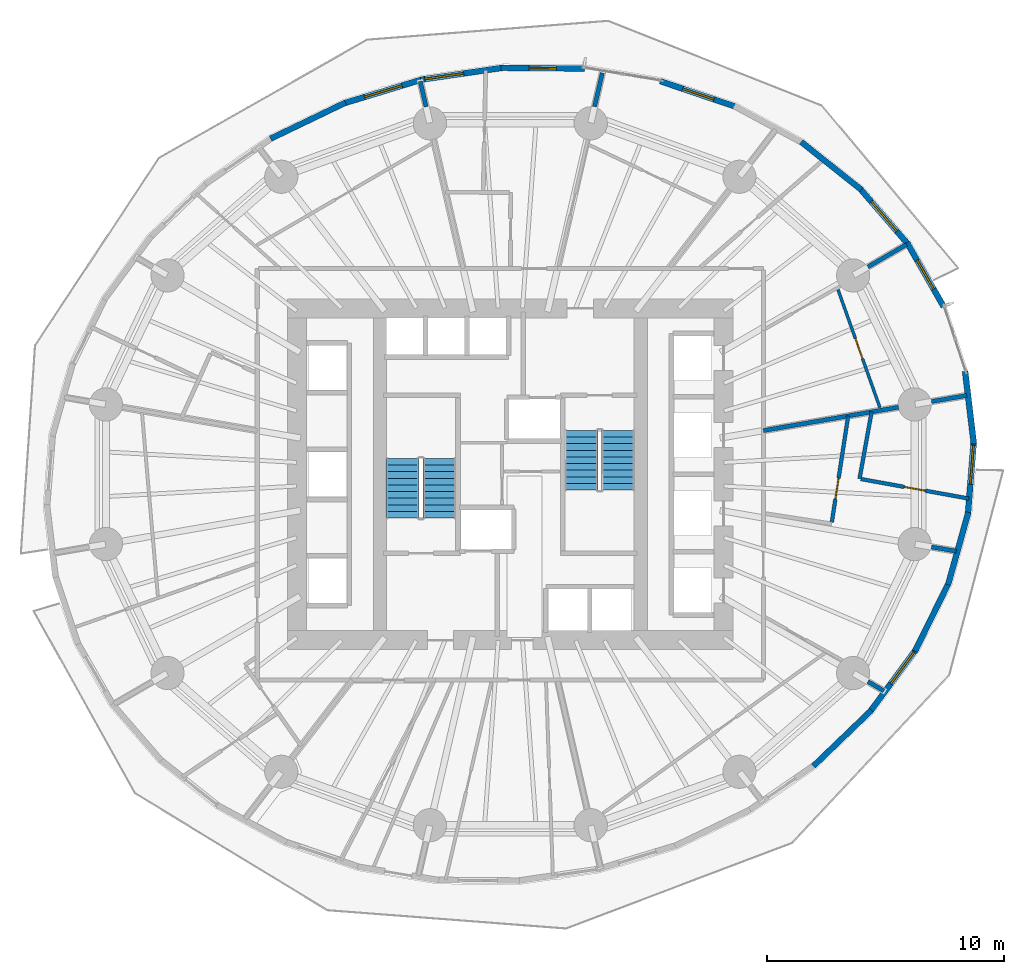
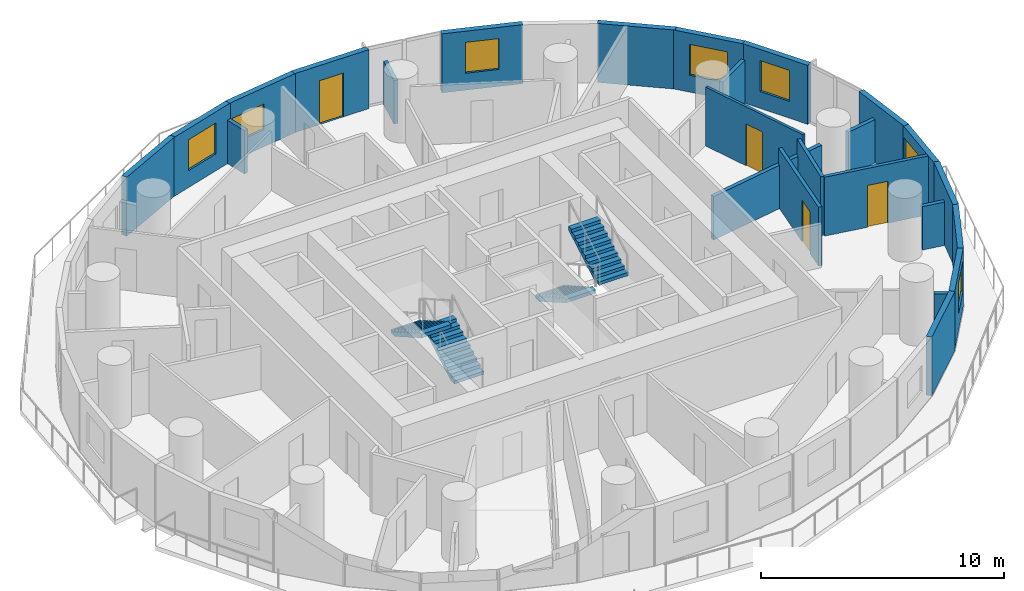
# One storey, part 8 of 13: 25 walls, 7 windows, 4 doors, 4 stair flights, 11 openings, 2 elements without a shape of their own.
"""IFC4 building model written with IfcOpenShell, lengths in metres."""

from ifc_helpers import new_model, si_unit, direction, frame, frame_2d, origin, place, context, subcontext, project, spatial, polyline, rectangle, outline, extrude, material, layer, layer_set, type_object, element, fill, aggregate, save


model = new_model("IFC4")

# Units and contexts
model_context = context("Model", 3, precision=1e-05, world=origin(), true_north=direction((0.0, 1.0)))
body_context = subcontext(model_context, "Body", "Model", "MODEL_VIEW")
ifc_project = project(units=[si_unit("LENGTHUNIT", "METRE"), si_unit("AREAUNIT", "SQUARE_METRE"), si_unit("VOLUMEUNIT", "CUBIC_METRE"), si_unit("PLANEANGLEUNIT", "RADIAN"), si_unit("MASSUNIT", "GRAM", prefix="KILO")], contexts=[model_context])

# Site, building, storey
site_placement = place(None, origin())
site = spatial("IfcSite", under=ifc_project, at=site_placement, CompositionType="ELEMENT")
building_placement = place(site_placement, origin())
building = spatial("IfcBuilding", under=site, at=building_placement, Name="Veldorim Arch Residences", CompositionType="ELEMENT")
storey_placement = place(building_placement, frame((0.0, 0.0, 53.60009765625)))
storey = spatial("IfcBuildingStorey", under=building, at=storey_placement, Name="L15", CompositionType="ELEMENT", Elevation=53.60009765625)

# Wall, opening, door
ifc_material_1 = material(Name="Acoustic Gypsum Board", Category="gypsum")
ifc_layer_1 = layer(ifc_material_1, 0.125, Name="Acoustic Stud Room Partition Wall 125")
ifc_layer_set_1 = layer_set([ifc_layer_1], Name="Acoustic Gypsum Board")
wall_type_1 = type_object("IfcWallType", Name="Acoustic Stud Room Partition Wall 125", PredefinedType="PARTITIONING", material=ifc_layer_set_1)
wall_1_placement = place(storey_placement, frame((45.82958984375, 31.790283203125, 0.0), z_axis=(0.0, 0.0, 1.0), x_axis=(0.334664074365, -0.94233749651, 0.0)))
wall_1 = element("IfcWall", 1, at=wall_1_placement, inside=storey, type_object=wall_type_1, Name="L15 interior wall WL-RES-L15-026", PredefinedType="PARTITIONING", context=body_context, shape_type="SweptSolid", body=[
    extrude(rectangle(XDim=5.282470703125, YDim=0.125, at=frame_2d((2.64111328125, 0.0))), origin(), (0.0, 0.0, 1.0), 2.954833984375),
])
opening_1_placement = place(wall_1_placement, frame((2.191162109375, 0.0, 0.0)))
opening_1 = element("IfcOpeningElement", 2, at=opening_1_placement, cuts=wall_1, Name="Opening DR-INT", PredefinedType="OPENING", context=body_context, shape_type="SweptSolid", body=[
    extrude(rectangle(XDim=0.89990234375, YDim=2.10009765625, at=frame_2d((0.449951171875, 1.050048828125))), frame((0.0, 0.072509765625, 0.0), z_axis=(0.0, -1.0, 0.0), x_axis=(1.0, 0.0, 0.0)), (0.0, 0.0, 1.0), 0.14501953125),
])
ifc_material_2 = material(Name="Engineered Timber", Category="wood")
door_type_1 = type_object("IfcDoorType", Name="Apartment Internal Room Timber Door 900x2100", OperationType="SINGLE_SWING_LEFT", PredefinedType="DOOR", material=ifc_material_2)
door_1_placement = place(opening_1_placement, origin())
door_1 = element("IfcDoor", 3, at=door_1_placement, inside=storey, type_object=door_type_1, Name="L15 interior door DR-RES-L15-014", OperationType="SINGLE_SWING_RIGHT", OverallHeight=2.10009765625, OverallWidth=0.89990234375, PredefinedType="DOOR", context=body_context, shape_type="SweptSolid", body=[
    extrude(rectangle(XDim=0.89990234375, YDim=2.10009765625, at=frame_2d((0.449951171875, 1.050048828125))), frame((0.0, 0.02490234375, 0.0), z_axis=(0.0, -1.0, 0.0), x_axis=(1.0, 0.0, 0.0)), (0.0, 0.0, 1.0), 0.050048828125),
])
fill(opening_1, door_1)

# Walls
ifc_material_3 = material(Name="Lightweight Masonry Block & Gypsum", Category="masonry")
ifc_layer_2 = layer(ifc_material_3, 0.179931640625, Name="Compartment & Corridor Fire-Rated Party Wall 180")
ifc_layer_set_2 = layer_set([ifc_layer_2], Name="Lightweight Masonry Block & Gypsum")
wall_type_2 = type_object("IfcWallType", Name="Compartment & Corridor Fire-Rated Party Wall 180", PredefinedType="PARTITIONING", material=ifc_layer_set_2)
wall_2_placement = place(storey_placement, frame((49.775146484375, 27.068359375, 0.0), z_axis=(0.0, 0.0, 1.0), x_axis=(0.985418960314, 0.170145445587, 0.0)))
element("IfcWall", 4, at=wall_2_placement, inside=storey, type_object=wall_type_2, Name="L15 interior wall WL-PIER-L15-01", PredefinedType="PARTITIONING", context=body_context, shape_type="SweptSolid", body=[
    extrude(rectangle(XDim=1.508056640625, YDim=0.179931640625, at=frame_2d((0.75390625, 0.0))), origin(), (0.0, 0.0, 1.0), 2.17822265625),
])
wall_3_placement = place(storey_placement, frame((47.090576171875, 32.750244140625, 0.0), z_axis=(0.0, 0.0, 1.0), x_axis=(0.865027823723, 0.501723892379, 0.0)))
element("IfcWall", 5, at=wall_3_placement, inside=storey, type_object=wall_type_2, Name="L15 interior wall WL-PIER-L15-02", PredefinedType="PARTITIONING", context=body_context, shape_type="SweptSolid", body=[
    extrude(rectangle(XDim=1.888916015625, YDim=0.179931640625, at=frame_2d((0.9443359375, 0.0))), origin(), (0.0, 0.0, 1.0), 2.17822265625),
])
wall_4_placement = place(storey_placement, frame((35.555419921875, 39.51171875, 0.0), z_axis=(0.0, 0.0, 1.0), x_axis=(0.223491959946, 0.974705772959, 0.0)))
element("IfcWall", 6, at=wall_4_placement, inside=storey, type_object=wall_type_2, Name="L15 interior wall WL-PIER-L15-04", PredefinedType="PARTITIONING", context=body_context, shape_type="SweptSolid", body=[
    extrude(rectangle(XDim=1.46044921875, YDim=0.179931640625, at=frame_2d((0.730224609375, 0.0))), origin(), (0.0, 0.0, 1.0), 2.17822265625),
])
wall_5_placement = place(storey_placement, frame((28.444580078125, 39.51171875, 0.0), z_axis=(0.0, 0.0, 1.0), x_axis=(-0.223512485262, 0.974701066446, 0.0)))
element("IfcWall", 7, at=wall_5_placement, inside=storey, type_object=wall_type_2, Name="L15 interior wall WL-PIER-L15-05", PredefinedType="PARTITIONING", context=body_context, shape_type="SweptSolid", body=[
    extrude(rectangle(XDim=1.098876953125, YDim=0.179931640625, at=frame_2d((0.54931640625, 0.0))), origin(), (0.0, 0.0, 1.0), 2.17822265625),
])
wall_6_placement = place(storey_placement, frame((47.090576171875, 15.249755859375, 0.0), z_axis=(0.0, 0.0, 1.0), x_axis=(0.86504748832, -0.501689986895, 0.0)))
element("IfcWall", 8, at=wall_6_placement, inside=storey, type_object=wall_type_2, Name="L15 interior wall WL-PIER-L15-15", PredefinedType="PARTITIONING", context=body_context, shape_type="SweptSolid", body=[
    extrude(rectangle(XDim=0.780029296875, YDim=0.179931640625, at=frame_2d((0.39013671875, 0.0))), origin(), (0.0, 0.0, 1.0), 2.17822265625),
])
wall_7_placement = place(storey_placement, frame((49.775146484375, 20.931640625, 0.0), z_axis=(0.0, 0.0, 1.0), x_axis=(0.985428074572, -0.17009265077, 0.0)))
element("IfcWall", 9, at=wall_7_placement, inside=storey, type_object=wall_type_2, Name="L15 interior wall WL-PIER-L15-16", PredefinedType="PARTITIONING", context=body_context, shape_type="SweptSolid", body=[
    extrude(rectangle(XDim=1.056396484375, YDim=0.179931640625, at=frame_2d((0.5283203125, 0.0))), origin(), (0.0, 0.0, 1.0), 2.17822265625),
])
wall_8_placement = place(storey_placement, frame((42.679931640625, 25.843505859375, 0.0), z_axis=(0.0, 0.0, 1.0), x_axis=(0.985422105898, 0.170127226534, 0.0)))
element("IfcWall", 10, at=wall_8_placement, inside=storey, type_object=wall_type_2, Name="L15 interior wall WL-RES-L15-021", PredefinedType="PARTITIONING", context=body_context, shape_type="SweptSolid", body=[
    extrude(rectangle(XDim=5.7890625, YDim=0.179931640625, at=frame_2d((2.89453125, 0.0))), origin(), (0.0, 0.0, 1.0), 2.17822265625),
])

# Wall, opening, window
ifc_material_4 = material(Name="Precast concrete C40/50", Category="concrete")
ifc_layer_3 = layer(ifc_material_4, 0.25, Name="Tower Terracotta Spandrel & Pier Wall 250")
ifc_layer_set_3 = layer_set([ifc_layer_3], Name="Precast concrete C40/50")
wall_type_3 = type_object("IfcWallType", Name="Tower Terracotta Spandrel & Pier Wall 250", PredefinedType="SOLIDWALL", material=ifc_layer_set_3)
wall_9_placement = place(storey_placement, frame((48.74365234375, 33.77685546875, 0.0), z_axis=(0.0, 0.0, 1.0), x_axis=(0.496155788519, -0.868233513243, 0.0)))
wall_9 = element("IfcWall", 11, at=wall_9_placement, inside=storey, type_object=wall_type_3, Name="L15 terracotta facade wall 02", PredefinedType="SOLIDWALL", context=body_context, shape_type="SweptSolid", body=[
    extrude(rectangle(XDim=3.12060546875, YDim=0.25, at=frame_2d((1.560302734375, 0.0))), origin(), (0.0, 0.0, 1.0), 2.9599609375),
])
opening_2_placement = place(wall_9_placement, frame((0.860107421875, 0.0, 0.85009765625)))
opening_2 = element("IfcOpeningElement", 12, at=opening_2_placement, cuts=wall_9, Name="Opening WN-02", PredefinedType="OPENING", context=body_context, shape_type="SweptSolid", body=[
    extrude(rectangle(XDim=1.39990234375, YDim=1.550048828125, at=frame_2d((0.699951171875, 0.77490234375))), frame((0.0, 0.135009765625, 0.0), z_axis=(0.0, -1.0, 0.0), x_axis=(1.0, 0.0, 0.0)), (0.0, 0.0, 1.0), 0.27001953125),
])
ifc_material_5 = material(Name="Laminated Low-E Glass", Category="glass")
window_type_1 = type_object("IfcWindowType", Name="Residential Casement Window 1400x1550", PartitioningType="SINGLE_PANEL", PredefinedType="WINDOW", material=ifc_material_5)
window_1_placement = place(opening_2_placement, origin())
window_1 = element("IfcWindow", 13, at=window_1_placement, inside=storey, type_object=window_type_1, Name="L15 solar-control facade window 02", OverallHeight=1.550048828125, OverallWidth=1.39990234375, PartitioningType="SINGLE_PANEL", PredefinedType="WINDOW", context=body_context, shape_type="SweptSolid", body=[
    extrude(rectangle(XDim=1.39990234375, YDim=1.550048828125, at=frame_2d((0.699951171875, 0.77490234375))), frame((0.0, 0.030029296875, 0.0), z_axis=(0.0, -1.0, 0.0), x_axis=(1.0, 0.0, 0.0)), (0.0, 0.0, 1.0), 0.06005859375),
])
fill(opening_2, window_1)

wall_10_placement = place(storey_placement, frame((46.734375, 36.085693359375, 0.0), z_axis=(0.0, 0.0, 1.0), x_axis=(0.653770062489, -0.75669327035, 0.0)))
wall_10 = element("IfcWall", 14, at=wall_10_placement, inside=storey, type_object=wall_type_3, Name="L15 terracotta facade wall 03", PredefinedType="SOLIDWALL", context=body_context, shape_type="SweptSolid", body=[
    extrude(rectangle(XDim=3.173828125, YDim=0.25, at=frame_2d((1.5869140625, 0.0))), origin(), (0.0, 0.0, 1.0), 2.9599609375),
])
opening_3_placement = place(wall_10_placement, frame((0.761962890625, 0.0, 0.85009765625)))
opening_3 = element("IfcOpeningElement", 15, at=opening_3_placement, cuts=wall_10, Name="Opening WN-03", PredefinedType="OPENING", context=body_context, shape_type="SweptSolid", body=[
    extrude(rectangle(XDim=1.64990234375, YDim=1.550048828125, at=frame_2d((0.824951171875, 0.77490234375))), frame((0.0, 0.135009765625, 0.0), z_axis=(0.0, -1.0, 0.0), x_axis=(1.0, 0.0, 0.0)), (0.0, 0.0, 1.0), 0.27001953125),
])
ifc_material_6 = material(Name="Laminated Low-E Glass", Category="glass")
window_type_2 = type_object("IfcWindowType", Name="Residential Wide Window 1650x1550", PartitioningType="SINGLE_PANEL", PredefinedType="WINDOW", material=ifc_material_6)
window_2_placement = place(opening_3_placement, origin())
window_2 = element("IfcWindow", 16, at=window_2_placement, inside=storey, type_object=window_type_2, Name="L15 solar-control facade window 03", OverallHeight=1.550048828125, OverallWidth=1.64990234375, PartitioningType="SINGLE_PANEL", PredefinedType="WINDOW", context=body_context, shape_type="SweptSolid", body=[
    extrude(rectangle(XDim=1.64990234375, YDim=1.550048828125, at=frame_2d((0.824951171875, 0.77490234375))), frame((0.0, 0.030029296875, 0.0), z_axis=(0.0, -1.0, 0.0), x_axis=(1.0, 0.0, 0.0)), (0.0, 0.0, 1.0), 0.06005859375),
])
fill(opening_3, window_2)

# Wall
wall_11_placement = place(storey_placement, frame((44.277587890625, 38.028564453125, 0.0), z_axis=(0.0, 0.0, 1.0), x_axis=(0.78232767864, -0.622867083119, 0.0)))
element("IfcWall", 17, at=wall_11_placement, inside=storey, type_object=wall_type_3, Name="L15 terracotta facade wall 04", PredefinedType="SOLIDWALL", context=body_context, shape_type="SweptSolid", body=[
    extrude(rectangle(XDim=3.244384765625, YDim=0.25, at=frame_2d((1.6220703125, 0.0))), origin(), (0.0, 0.0, 1.0), 2.9599609375),
])

# Wall, opening, window
wall_12_placement = place(storey_placement, frame((38.32958984375, 40.592529296875, 0.0), z_axis=(0.0, 0.0, 1.0), x_axis=(0.947149503871, -0.320792483262, 0.0)))
wall_12 = element("IfcWall", 18, at=wall_12_placement, inside=storey, type_object=wall_type_3, Name="L15 terracotta facade wall 06", PredefinedType="SOLIDWALL", context=body_context, shape_type="SweptSolid", body=[
    extrude(rectangle(XDim=3.39892578125, YDim=0.25, at=frame_2d((1.699462890625, 0.0))), origin(), (0.0, 0.0, 1.0), 2.9599609375),
])
opening_4_placement = place(wall_12_placement, frame((1.0, 0.0, 0.85009765625)))
opening_4 = element("IfcOpeningElement", 19, at=opening_4_placement, cuts=wall_12, Name="Opening WN-02", PredefinedType="OPENING", context=body_context, shape_type="SweptSolid", body=[
    extrude(rectangle(XDim=1.39990234375, YDim=1.550048828125, at=frame_2d((0.699951171875, 0.77490234375))), frame((0.0, 0.135009765625, 0.0), z_axis=(0.0, -1.0, 0.0), x_axis=(1.0, 0.0, 0.0)), (0.0, 0.0, 1.0), 0.27001953125),
])
window_3_placement = place(opening_4_placement, origin())
window_3 = element("IfcWindow", 20, at=window_3_placement, inside=storey, type_object=window_type_1, Name="L15 solar-control facade window 06", OverallHeight=1.550048828125, OverallWidth=1.39990234375, PartitioningType="SINGLE_PANEL", PredefinedType="WINDOW", context=body_context, shape_type="SweptSolid", body=[
    extrude(rectangle(XDim=1.39990234375, YDim=1.550048828125, at=frame_2d((0.699951171875, 0.77490234375))), frame((0.0, 0.030029296875, 0.0), z_axis=(0.0, -1.0, 0.0), x_axis=(1.0, 0.0, 0.0)), (0.0, 0.0, 1.0), 0.06005859375),
])
fill(opening_4, window_3)

# Wall, opening, door
wall_13_placement = place(storey_placement, frame((31.6142578125, 41.15625, 0.0), z_axis=(0.0, 0.0, 1.0), x_axis=(0.999961046076, -0.008826456273, 0.0)))
wall_13 = element("IfcWall", 21, at=wall_13_placement, inside=storey, type_object=wall_type_3, Name="L15 terracotta facade wall 08", PredefinedType="SOLIDWALL", context=body_context, shape_type="SweptSolid", body=[
    extrude(rectangle(XDim=3.512939453125, YDim=0.25, at=frame_2d((1.75634765625, 0.0))), origin(), (0.0, 0.0, 1.0), 2.9599609375),
])
opening_5_placement = place(wall_13_placement, frame((1.180908203125, 0.0, 0.0)))
opening_5 = element("IfcOpeningElement", 22, at=opening_5_placement, cuts=wall_13, Name="Opening BL-DR", PredefinedType="OPENING", context=body_context, shape_type="SweptSolid", body=[
    extrude(rectangle(XDim=1.14990234375, YDim=2.199951171875, at=frame_2d((0.574951171875, 1.10009765625))), frame((0.0, 0.135009765625, 0.0), z_axis=(0.0, -1.0, 0.0), x_axis=(1.0, 0.0, 0.0)), (0.0, 0.0, 1.0), 0.27001953125),
])
ifc_material_7 = material(Name="Aluminium & Low-E Glass", Category="aluminium")
door_type_2 = type_object("IfcDoorType", Name="Glazed Planted Balcony Door 1150x2200", OperationType="SINGLE_SWING_LEFT", PredefinedType="DOOR", material=ifc_material_7)
door_2_placement = place(opening_5_placement, origin())
door_2 = element("IfcDoor", 23, at=door_2_placement, inside=storey, type_object=door_type_2, Name="L15 glazed outdoor terrace door BALC-1", OperationType="SINGLE_SWING_RIGHT", OverallHeight=2.199951171875, OverallWidth=1.14990234375, PredefinedType="DOOR", context=body_context, shape_type="SweptSolid", body=[
    extrude(rectangle(XDim=1.14990234375, YDim=2.199951171875, at=frame_2d((0.574951171875, 1.10009765625))), frame((0.0, 0.02490234375, 0.0), z_axis=(0.0, -1.0, 0.0), x_axis=(1.0, 0.0, 0.0)), (0.0, 0.0, 1.0), 0.050048828125),
])
fill(opening_5, door_2)

# Wall, opening, window
wall_14_placement = place(storey_placement, frame((28.22119140625, 40.655517578125, 0.0), z_axis=(0.0, 0.0, 1.0), x_axis=(0.989638017979, 0.143584795051, 0.0)))
wall_14 = element("IfcWall", 24, at=wall_14_placement, inside=storey, type_object=wall_type_3, Name="L15 terracotta facade wall 09", PredefinedType="SOLIDWALL", context=body_context, shape_type="SweptSolid", body=[
    extrude(rectangle(XDim=3.538330078125, YDim=0.25, at=frame_2d((1.76904296875, 0.0))), origin(), (0.0, 0.0, 1.0), 2.9599609375),
])
opening_6_placement = place(wall_14_placement, frame((0.175048828125, 0.0, 0.85009765625)))
opening_6 = element("IfcOpeningElement", 25, at=opening_6_placement, cuts=wall_14, Name="Opening WN-03", PredefinedType="OPENING", context=body_context, shape_type="SweptSolid", body=[
    extrude(rectangle(XDim=1.64990234375, YDim=1.2900390625, at=frame_2d((0.824951171875, 0.64501953125))), frame((0.0, 0.135009765625, 0.0), z_axis=(0.0, -1.0, 0.0), x_axis=(1.0, 0.0, 0.0)), (0.0, 0.0, 1.0), 0.27001953125),
])
window_4_placement = place(opening_6_placement, origin())
window_4 = element("IfcWindow", 26, at=window_4_placement, inside=storey, type_object=window_type_2, Name="L15 solar-control facade window 09", OverallHeight=1.2900390625, OverallWidth=1.64990234375, PartitioningType="SINGLE_PANEL", PredefinedType="WINDOW", context=body_context, shape_type="SweptSolid", body=[
    extrude(rectangle(XDim=1.64990234375, YDim=1.2900390625, at=frame_2d((0.824951171875, 0.64501953125))), frame((0.0, 0.030029296875, 0.0), z_axis=(0.0, -1.0, 0.0), x_axis=(1.0, 0.0, 0.0)), (0.0, 0.0, 1.0), 0.06005859375),
])
fill(opening_6, window_4)

wall_15_placement = place(storey_placement, frame((24.94287109375, 39.64794921875, 0.0), z_axis=(0.0, 0.0, 1.0), x_axis=(0.95658107252, 0.291466381759, 0.0)))
wall_15 = element("IfcWall", 27, at=wall_15_placement, inside=storey, type_object=wall_type_3, Name="L15 terracotta facade wall 10", PredefinedType="SOLIDWALL", context=body_context, shape_type="SweptSolid", body=[
    extrude(rectangle(XDim=3.5380859375, YDim=0.25, at=frame_2d((1.76904296875, 0.0))), origin(), (0.0, 0.0, 1.0), 2.9599609375),
])
opening_7_placement = place(wall_15_placement, frame((0.944091796875, 0.0, 0.85009765625)))
opening_7 = element("IfcOpeningElement", 28, at=opening_7_placement, cuts=wall_15, Name="Opening WN-03", PredefinedType="OPENING", context=body_context, shape_type="SweptSolid", body=[
    extrude(rectangle(XDim=1.64990234375, YDim=1.550048828125, at=frame_2d((0.824951171875, 0.77490234375))), frame((0.0, 0.135009765625, 0.0), z_axis=(0.0, -1.0, 0.0), x_axis=(1.0, 0.0, 0.0)), (0.0, 0.0, 1.0), 0.27001953125),
])
window_5_placement = place(opening_7_placement, origin())
window_5 = element("IfcWindow", 29, at=window_5_placement, inside=storey, type_object=window_type_2, Name="L15 solar-control facade window 10", OverallHeight=1.550048828125, OverallWidth=1.64990234375, PartitioningType="SINGLE_PANEL", PredefinedType="WINDOW", context=body_context, shape_type="SweptSolid", body=[
    extrude(rectangle(XDim=1.64990234375, YDim=1.550048828125, at=frame_2d((0.824951171875, 0.77490234375))), frame((0.0, 0.030029296875, 0.0), z_axis=(0.0, -1.0, 0.0), x_axis=(1.0, 0.0, 0.0)), (0.0, 0.0, 1.0), 0.06005859375),
])
fill(opening_7, window_5)

# Walls
wall_16_placement = place(storey_placement, frame((21.87890625, 38.1640625, 0.0), z_axis=(0.0, 0.0, 1.0), x_axis=(0.901067057596, 0.433679787073, 0.0)))
element("IfcWall", 30, at=wall_16_placement, inside=storey, type_object=wall_type_3, Name="L15 terracotta facade wall 11", PredefinedType="SOLIDWALL", context=body_context, shape_type="SweptSolid", body=[
    extrude(rectangle(XDim=3.5126953125, YDim=0.25, at=frame_2d((1.75634765625, 0.0))), origin(), (0.0, 0.0, 1.0), 2.9599609375),
])
wall_17_placement = place(storey_placement, frame((47.240478515625, 14.0390625, 0.0), z_axis=(0.0, 0.0, 1.0), x_axis=(-0.720340150583, -0.693620982568, 0.0)))
element("IfcWall", 31, at=wall_17_placement, inside=storey, type_object=wall_type_3, Name="L15 terracotta facade wall 31", PredefinedType="SOLIDWALL", context=body_context, shape_type="SweptSolid", body=[
    extrude(rectangle(XDim=3.399169921875, YDim=0.25, at=frame_2d((1.69970703125, 0.0))), origin(), (0.0, 0.0, 1.0), 2.9599609375),
])

# Wall, opening, window
wall_18_placement = place(storey_placement, frame((49.140380859375, 16.62939453125, 0.0), z_axis=(0.0, 0.0, 1.0), x_axis=(-0.593762827217, -0.804640109003, 0.0)))
wall_18 = element("IfcWall", 32, at=wall_18_placement, inside=storey, type_object=wall_type_3, Name="L15 terracotta facade wall 32", PredefinedType="SOLIDWALL", context=body_context, shape_type="SweptSolid", body=[
    extrude(rectangle(XDim=3.32275390625, YDim=0.25, at=frame_2d((1.661376953125, 0.0))), origin(), (0.0, 0.0, 1.0), 2.9599609375),
])
opening_8_placement = place(wall_18_placement, frame((0.175048828125, 0.0, 0.85009765625)))
opening_8 = element("IfcOpeningElement", 33, at=opening_8_placement, cuts=wall_18, Name="Opening WN-03", PredefinedType="OPENING", context=body_context, shape_type="SweptSolid", body=[
    extrude(rectangle(XDim=1.64990234375, YDim=1.550048828125, at=frame_2d((0.824951171875, 0.77490234375))), frame((0.0, 0.135009765625, 0.0), z_axis=(0.0, -1.0, 0.0), x_axis=(1.0, 0.0, 0.0)), (0.0, 0.0, 1.0), 0.27001953125),
])
window_6_placement = place(opening_8_placement, origin())
window_6 = element("IfcWindow", 34, at=window_6_placement, inside=storey, type_object=window_type_2, Name="L15 solar-control facade window 32", OverallHeight=1.550048828125, OverallWidth=1.64990234375, PartitioningType="SINGLE_PANEL", PredefinedType="WINDOW", context=body_context, shape_type="SweptSolid", body=[
    extrude(rectangle(XDim=1.64990234375, YDim=1.550048828125, at=frame_2d((0.824951171875, 0.77490234375))), frame((0.0, 0.030029296875, 0.0), z_axis=(0.0, -1.0, 0.0), x_axis=(1.0, 0.0, 0.0)), (0.0, 0.0, 1.0), 0.06005859375),
])
fill(opening_8, window_6)

# Walls
wall_19_placement = place(storey_placement, frame((50.518310546875, 19.443359375, 0.0), z_axis=(0.0, 0.0, 1.0), x_axis=(-0.44260255462, -0.896717892452, 0.0)))
element("IfcWall", 35, at=wall_19_placement, inside=storey, type_object=wall_type_3, Name="L15 terracotta facade wall 33", PredefinedType="SOLIDWALL", context=body_context, shape_type="SweptSolid", body=[
    extrude(rectangle(XDim=3.24462890625, YDim=0.25, at=frame_2d((1.622314453125, 0.0))), origin(), (0.0, 0.0, 1.0), 2.9599609375),
])
wall_20_placement = place(storey_placement, frame((51.332763671875, 22.394775390625, 0.0), z_axis=(0.0, 0.0, 1.0), x_axis=(-0.269353183383, -0.963041464632, 0.0)))
element("IfcWall", 36, at=wall_20_placement, inside=storey, type_object=wall_type_3, Name="L15 terracotta facade wall 34", PredefinedType="SOLIDWALL", context=body_context, shape_type="SweptSolid", body=[
    extrude(rectangle(XDim=3.17431640625, YDim=0.25, at=frame_2d((1.587158203125, 0.0))), origin(), (0.0, 0.0, 1.0), 2.9599609375),
])

# Wall, opening, window
wall_21_placement = place(storey_placement, frame((51.56005859375, 25.3935546875, 0.0), z_axis=(0.0, 0.0, 1.0), x_axis=(-0.079173066737, -0.996860885733, 0.0)))
wall_21 = element("IfcWall", 37, at=wall_21_placement, inside=storey, type_object=wall_type_3, Name="L15 terracotta facade wall 35", PredefinedType="SOLIDWALL", context=body_context, shape_type="SweptSolid", body=[
    extrude(rectangle(XDim=3.12060546875, YDim=0.25, at=frame_2d((1.560302734375, 0.0))), origin(), (0.0, 0.0, 1.0), 2.9599609375),
])
opening_9_placement = place(wall_21_placement, frame((0.175048828125, 0.0, 0.85009765625)))
opening_9 = element("IfcOpeningElement", 38, at=opening_9_placement, cuts=wall_21, Name="Opening WN-03", PredefinedType="OPENING", context=body_context, shape_type="SweptSolid", body=[
    extrude(rectangle(XDim=1.64990234375, YDim=1.550048828125, at=frame_2d((0.824951171875, 0.77490234375))), frame((0.0, 0.135009765625, 0.0), z_axis=(0.0, -1.0, 0.0), x_axis=(1.0, 0.0, 0.0)), (0.0, 0.0, 1.0), 0.27001953125),
])
window_7_placement = place(opening_9_placement, origin())
window_7 = element("IfcWindow", 39, at=window_7_placement, inside=storey, type_object=window_type_2, Name="L15 solar-control facade window 35", OverallHeight=1.550048828125, OverallWidth=1.64990234375, PartitioningType="SINGLE_PANEL", PredefinedType="WINDOW", context=body_context, shape_type="SweptSolid", body=[
    extrude(rectangle(XDim=1.64990234375, YDim=1.550048828125, at=frame_2d((0.824951171875, 0.77490234375))), frame((0.0, 0.030029296875, 0.0), z_axis=(0.0, -1.0, 0.0), x_axis=(1.0, 0.0, 0.0)), (0.0, 0.0, 1.0), 0.06005859375),
])
fill(opening_9, window_7)

# Walls
wall_22_placement = place(storey_placement, frame((51.193603515625, 28.34912109375, 0.0), z_axis=(0.0, 0.0, 1.0), x_axis=(0.119310240224, -0.992857022223, 0.0)))
element("IfcWall", 40, at=wall_22_placement, inside=storey, type_object=wall_type_3, Name="L15 terracotta facade wall 36", PredefinedType="SOLIDWALL", context=body_context, shape_type="SweptSolid", body=[
    extrude(rectangle(XDim=3.091796875, YDim=0.25, at=frame_2d((1.5458984375, 0.0))), origin(), (0.0, 0.0, 1.0), 2.9599609375),
])
ifc_material_8 = material(Name="Moisture-Resistant Gypsum & Stud", Category="gypsum")
ifc_layer_4 = layer(ifc_material_8, 0.159912109375, Name="Wet-Area Moisture-Resistant Plumbing Wall 160")
ifc_layer_set_4 = layer_set([ifc_layer_4], Name="Moisture-Resistant Gypsum & Stud")
wall_type_4 = type_object("IfcWallType", Name="Wet-Area Moisture-Resistant Plumbing Wall 160", PredefinedType="PLUMBINGWALL", material=ifc_layer_set_4)
wall_23_placement = place(storey_placement, frame((47.247802734375, 26.632080078125, 0.0), z_axis=(0.0, 0.0, 1.0), x_axis=(-0.1781964362, -0.983994933994, 0.0)))
element("IfcWall", 41, at=wall_23_placement, inside=storey, type_object=wall_type_4, Name="L15 interior wall WL-RES-L15-016", PredefinedType="PLUMBINGWALL", context=body_context, shape_type="SweptSolid", body=[
    extrude(rectangle(XDim=2.868896484375, YDim=0.159912109375, at=frame_2d((1.4345703125, 0.0))), origin(), (0.0, 0.0, 1.0), 2.954833984375),
])

# Wall, opening, door
wall_24_placement = place(storey_placement, frame((46.795654296875, 23.798583984375, 0.0), z_axis=(0.0, 0.0, 1.0), x_axis=(0.983988618973, -0.178231304015, 0.0)))
wall_24 = element("IfcWall", 42, at=wall_24_placement, inside=storey, type_object=wall_type_4, Name="L15 interior wall WL-RES-L15-017", PredefinedType="PLUMBINGWALL", context=body_context, shape_type="SweptSolid", body=[
    extrude(rectangle(XDim=4.63134765625, YDim=0.159912109375, at=frame_2d((2.315673828125, 0.0))), origin(), (0.0, 0.0, 1.0), 2.954833984375),
])
opening_10_placement = place(wall_24_placement, frame((1.86572265625, 0.0, 0.0)))
opening_10 = element("IfcOpeningElement", 43, at=opening_10_placement, cuts=wall_24, Name="Opening DR-WC", PredefinedType="OPENING", context=body_context, shape_type="SweptSolid", body=[
    extrude(rectangle(XDim=0.89990234375, YDim=2.10009765625, at=frame_2d((0.449951171875, 1.050048828125))), frame((0.0, 0.08984375, 0.0), z_axis=(0.0, -1.0, 0.0), x_axis=(1.0, 0.0, 0.0)), (0.0, 0.0, 1.0), 0.179931640625),
])
ifc_material_9 = material(Name="Laminate Timber", Category="wood")
door_type_3 = type_object("IfcDoorType", Name="Bathroom & Accessible WC Moisture-Sealed Door 900x2100", OperationType="SINGLE_SWING_LEFT", PredefinedType="DOOR", material=ifc_material_9)
door_3_placement = place(opening_10_placement, origin())
door_3 = element("IfcDoor", 44, at=door_3_placement, inside=storey, type_object=door_type_3, Name="L15 interior door DR-RES-L15-007", OperationType="SINGLE_SWING_LEFT", OverallHeight=2.10009765625, OverallWidth=0.89990234375, PredefinedType="DOOR", context=body_context, shape_type="SweptSolid", body=[
    extrude(rectangle(XDim=0.89990234375, YDim=2.10009765625, at=frame_2d((0.449951171875, 1.050048828125))), frame((0.0, 0.02490234375, 0.0), z_axis=(0.0, -1.0, 0.0), x_axis=(1.0, 0.0, 0.0)), (0.0, 0.0, 1.0), 0.050048828125),
])
fill(opening_10, door_3)

wall_25_placement = place(storey_placement, frame((45.567138671875, 21.96875, 0.0), z_axis=(0.0, 0.0, 1.0), x_axis=(0.152061220482, 0.988371076684, 0.0)))
wall_25 = element("IfcWall", 45, at=wall_25_placement, inside=storey, type_object=wall_type_4, Name="L15 interior wall WL-RES-L15-020", PredefinedType="PLUMBINGWALL", context=body_context, shape_type="SweptSolid", body=[
    extrude(rectangle(XDim=4.54541015625, YDim=0.159912109375, at=frame_2d((2.272705078125, 0.0))), origin(), (0.0, 0.0, 1.0), 2.954833984375),
])
opening_11_placement = place(wall_25_placement, frame((0.982666015625, 0.0, 0.0)))
opening_11 = element("IfcOpeningElement", 46, at=opening_11_placement, cuts=wall_25, Name="Opening DR-INT", PredefinedType="OPENING", context=body_context, shape_type="SweptSolid", body=[
    extrude(rectangle(XDim=0.89990234375, YDim=2.10009765625, at=frame_2d((0.449951171875, 1.050048828125))), frame((0.0, 0.08984375, 0.0), z_axis=(0.0, -1.0, 0.0), x_axis=(1.0, 0.0, 0.0)), (0.0, 0.0, 1.0), 0.179931640625),
])
door_4_placement = place(opening_11_placement, origin())
door_4 = element("IfcDoor", 47, at=door_4_placement, inside=storey, type_object=door_type_1, Name="L15 interior door DR-RES-L15-010", OperationType="SINGLE_SWING_RIGHT", OverallHeight=2.10009765625, OverallWidth=0.89990234375, PredefinedType="DOOR", context=body_context, shape_type="SweptSolid", body=[
    extrude(rectangle(XDim=0.89990234375, YDim=2.10009765625, at=frame_2d((0.449951171875, 1.050048828125))), frame((0.0, 0.02490234375, 0.0), z_axis=(0.0, -1.0, 0.0), x_axis=(1.0, 0.0, 0.0)), (0.0, 0.0, 1.0), 0.050048828125),
])
fill(opening_11, door_4)

# Stair, stair flights
ifc_material_10 = material(Name="Concrete C40/50", Category="concrete")
stair_type = type_object("IfcStairType", Name="Reinforced Concrete Dogleg Exit Staircase", PredefinedType="HALF_TURN_STAIR", material=ifc_material_10)
stair_1_placement = place(storey_placement, origin())
stair_1 = element("IfcStair", 48, at=stair_1_placement, inside=storey, type_object=stair_type, Name="L15 Exit Staircase ST-1", PredefinedType="HALF_TURN_STAIR")
ifc_material_11 = material(Name="Concrete C40/50", Category="concrete")
stair_flight_type = type_object("IfcStairFlightType", Name="Reinforced Concrete Stair Flight 1400", PredefinedType="STRAIGHT", material=ifc_material_11)
stair_flight_1_placement = place(storey_placement, frame((29.010009765625, 22.14990234375, 0.0), z_axis=(0.0, 0.0, 1.0), x_axis=(0.0, 1.0, 0.0)))
stair_flight_1 = element("IfcStairFlight", 49, at=stair_flight_1_placement, type_object=stair_flight_type, Name="ST-1 flight 1", NumberOfRisers=10, NumberOfTreads=9, PredefinedType="STRAIGHT", RiserHeight=0.16, TreadLength=0.28, context=body_context, shape_type="SweptSolid", body=[
    extrude(outline(polyline([(0.0, 0.0), (0.0, 0.159912109375), (0.280029296875, 0.159912109375), (0.280029296875, 0.320068359375), (0.56005859375, 0.320068359375), (0.56005859375, 0.47998046875), (0.840087890625, 0.47998046875), (0.840087890625, 0.639892578125), (1.1201171875, 0.639892578125), (1.1201171875, 0.800048828125), (1.39990234375, 0.800048828125), (1.39990234375, 0.9599609375), (1.679931640625, 0.9599609375), (1.679931640625, 1.1201171875), (1.9599609375, 1.1201171875), (1.9599609375, 1.280029296875), (2.239990234375, 1.280029296875), (2.239990234375, 1.43994140625), (2.52001953125, 1.43994140625), (2.52001953125, 1.60009765625), (2.52001953125, 1.255859375), (0.322265625, 0.0), (0.0, 0.0)])), frame((0.0, 0.699951171875, 0.0), z_axis=(0.0, -1.0, 0.0), x_axis=(1.0, 0.0, 0.0)), (0.0, 0.0, 1.0), 1.39990234375),
])
stair_flight_2_placement = place(storey_placement, frame((27.449951171875, 24.669921875, 1.599853515625), z_axis=(0.0, 0.0, 1.0), x_axis=(0.0, -1.0, 0.0)))
stair_flight_2 = element("IfcStairFlight", 50, at=stair_flight_2_placement, type_object=stair_flight_type, Name="ST-1 flight 2", NumberOfRisers=10, NumberOfTreads=9, PredefinedType="STRAIGHT", RiserHeight=0.16, TreadLength=0.28, context=body_context, shape_type="SweptSolid", body=[
    extrude(outline(polyline([(0.0, 0.0), (0.0, 0.159912109375), (0.280029296875, 0.159912109375), (0.280029296875, 0.320068359375), (0.56005859375, 0.320068359375), (0.56005859375, 0.47998046875), (0.840087890625, 0.47998046875), (0.840087890625, 0.639892578125), (1.1201171875, 0.639892578125), (1.1201171875, 0.800048828125), (1.39990234375, 0.800048828125), (1.39990234375, 0.9599609375), (1.679931640625, 0.9599609375), (1.679931640625, 1.1201171875), (1.9599609375, 1.1201171875), (1.9599609375, 1.280029296875), (2.239990234375, 1.280029296875), (2.239990234375, 1.43994140625), (2.52001953125, 1.43994140625), (2.52001953125, 1.60009765625), (2.52001953125, 1.255859375), (0.322265625, 0.0), (0.0, 0.0)])), frame((0.0, 0.699951171875, 0.0), z_axis=(0.0, -1.0, 0.0), x_axis=(1.0, 0.0, 0.0)), (0.0, 0.0, 1.0), 1.39990234375),
])
aggregate(stair_1, [stair_flight_1, stair_flight_2])

stair_2_placement = place(storey_placement, origin())
stair_2 = element("IfcStair", 51, at=stair_2_placement, inside=storey, type_object=stair_type, Name="L15 Exit Staircase ST-2", PredefinedType="HALF_TURN_STAIR")
stair_flight_3_placement = place(storey_placement, frame((34.989990234375, 25.85009765625, 0.0), z_axis=(0.0, 0.0, 1.0), x_axis=(0.0, -1.0, 0.0)))
stair_flight_3 = element("IfcStairFlight", 52, at=stair_flight_3_placement, type_object=stair_flight_type, Name="ST-2 flight 1", NumberOfRisers=10, NumberOfTreads=9, PredefinedType="STRAIGHT", RiserHeight=0.16, TreadLength=0.28, context=body_context, shape_type="SweptSolid", body=[
    extrude(outline(polyline([(0.0, 0.0), (0.0, 0.159912109375), (0.280029296875, 0.159912109375), (0.280029296875, 0.320068359375), (0.56005859375, 0.320068359375), (0.56005859375, 0.47998046875), (0.840087890625, 0.47998046875), (0.840087890625, 0.639892578125), (1.1201171875, 0.639892578125), (1.1201171875, 0.800048828125), (1.39990234375, 0.800048828125), (1.39990234375, 0.9599609375), (1.679931640625, 0.9599609375), (1.679931640625, 1.1201171875), (1.9599609375, 1.1201171875), (1.9599609375, 1.280029296875), (2.239990234375, 1.280029296875), (2.239990234375, 1.43994140625), (2.52001953125, 1.43994140625), (2.52001953125, 1.60009765625), (2.52001953125, 1.255859375), (0.322265625, 0.0), (0.0, 0.0)])), frame((0.0, 0.699951171875, 0.0), z_axis=(0.0, -1.0, 0.0), x_axis=(1.0, 0.0, 0.0)), (0.0, 0.0, 1.0), 1.39990234375),
])
stair_flight_4_placement = place(storey_placement, frame((36.550048828125, 23.330078125, 1.599853515625), z_axis=(0.0, 0.0, 1.0), x_axis=(0.0, 1.0, 0.0)))
stair_flight_4 = element("IfcStairFlight", 53, at=stair_flight_4_placement, type_object=stair_flight_type, Name="ST-2 flight 2", NumberOfRisers=10, NumberOfTreads=9, PredefinedType="STRAIGHT", RiserHeight=0.16, TreadLength=0.28, context=body_context, shape_type="SweptSolid", body=[
    extrude(outline(polyline([(0.0, 0.0), (0.0, 0.159912109375), (0.280029296875, 0.159912109375), (0.280029296875, 0.320068359375), (0.56005859375, 0.320068359375), (0.56005859375, 0.47998046875), (0.840087890625, 0.47998046875), (0.840087890625, 0.639892578125), (1.1201171875, 0.639892578125), (1.1201171875, 0.800048828125), (1.39990234375, 0.800048828125), (1.39990234375, 0.9599609375), (1.679931640625, 0.9599609375), (1.679931640625, 1.1201171875), (1.9599609375, 1.1201171875), (1.9599609375, 1.280029296875), (2.239990234375, 1.280029296875), (2.239990234375, 1.43994140625), (2.52001953125, 1.43994140625), (2.52001953125, 1.60009765625), (2.52001953125, 1.255859375), (0.322265625, 0.0), (0.0, 0.0)])), frame((0.0, 0.699951171875, 0.0), z_axis=(0.0, -1.0, 0.0), x_axis=(1.0, 0.0, 0.0)), (0.0, 0.0, 1.0), 1.39990234375),
])
aggregate(stair_2, [stair_flight_3, stair_flight_4])

save(model, "model.ifc")
